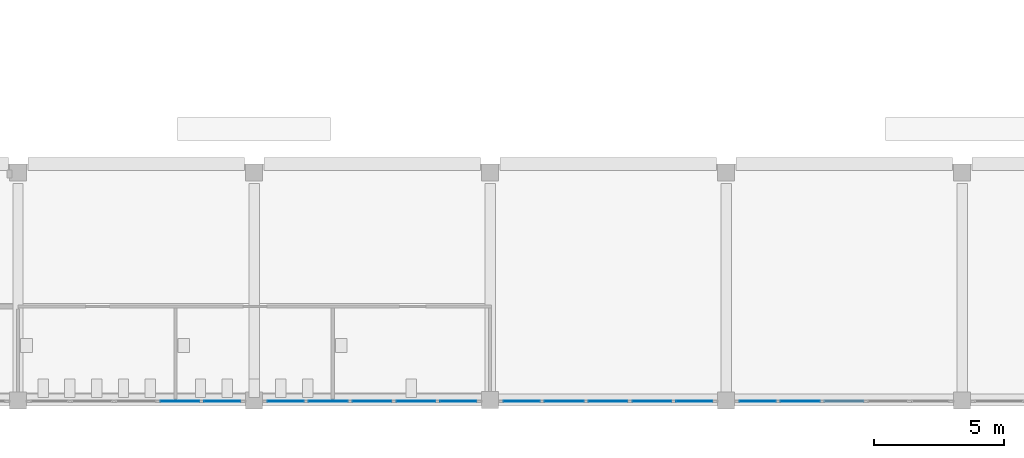
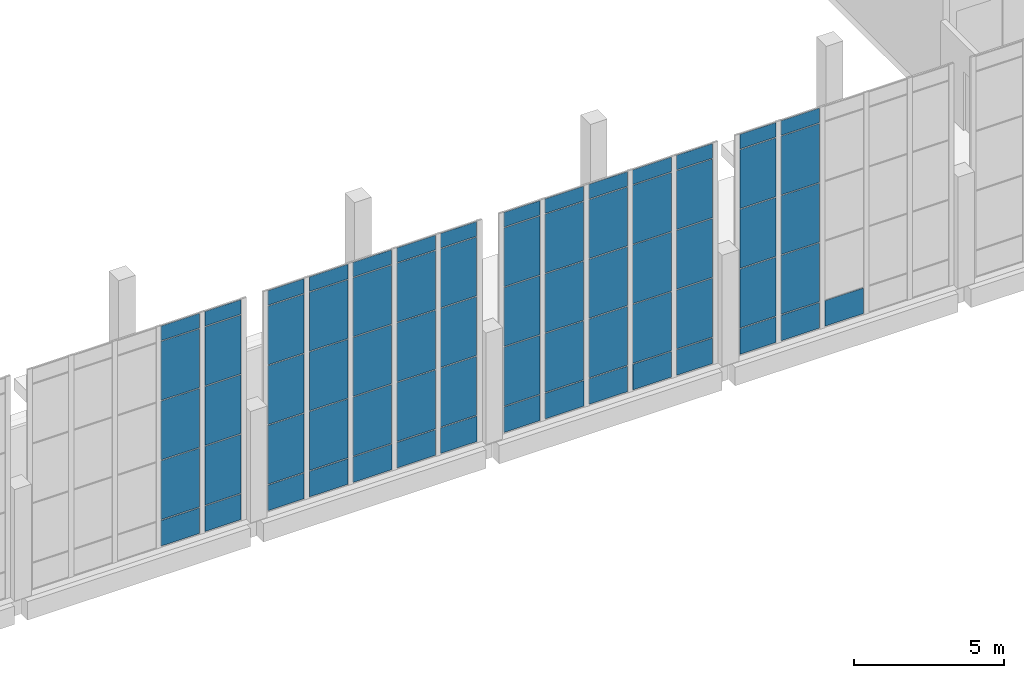
# One storey, part 32 of 91: 71 plates, 4 elements without a shape of their own.
"""IFC4 building model written with IfcOpenShell, lengths in metres."""

import ifcopenshell
import ifcopenshell.guid

model = None  # the IFC model being written
_history = None  # IfcOwnerHistory: only IFC2X3 demands one
_inside = {}  # id of a spatial element -> (the spatial element, [elements in it])
_under = {}  # id of a project, library or spatial element -> (it, [spatial elements below it])
_declared = {}  # id of a project -> (the project, [libraries it declares])
_typed = {}  # id of a type object -> (the type object, [elements of that type])
_made_of = {}  # id of a material, layer set ... -> (it, [elements and type objects made of it])


def new_model(schema):
    """Start an empty IFC model of exactly this schema.

    Asked for "IFC4X3", IfcOpenShell would pick the latest addendum, in which some entities
    have other attributes; the version numbers below select the first issue.
    IFC2X3 requires an IfcOwnerHistory on every rooted entity: one is made here for all.
    """
    global model, _history
    if schema == "IFC4X3":
        model = ifcopenshell.file(schema_version=(4, 3, 0, 0))
    else:
        model = ifcopenshell.file(schema=schema)
    _inside.clear()
    _under.clear()
    _declared.clear()
    _typed.clear()
    _made_of.clear()
    _history = None
    if model.schema == "IFC2X3":
        org = make("IfcOrganization", Name="unknown")
        user = make(
            "IfcPersonAndOrganization",
            ThePerson=make("IfcPerson", FamilyName="unknown"),
            TheOrganization=org,
        )
        app = make(
            "IfcApplication",
            ApplicationDeveloper=org,
            Version="unknown",
            ApplicationFullName="unknown",
            ApplicationIdentifier="unknown",
        )
        _history = make(
            "IfcOwnerHistory",
            OwningUser=user,
            OwningApplication=app,
            ChangeAction="ADDED",
            CreationDate=0,
        )
    return model


def make(cls, **values):
    """One entity of the class cls with the attributes given. An attribute that is None is left unset."""
    return model.create_entity(
        cls, **{name: value for name, value in values.items() if value is not None}
    )


def rooted(cls, **values):
    """An entity with a GlobalId (a new one), such as an element, a storey or a relation."""
    return make(cls, GlobalId=ifcopenshell.guid.new(), OwnerHistory=_history, **values)


def si_unit(unit_type, name, prefix=None):
    """IfcSIUnit, for example si_unit("LENGTHUNIT", "METRE", prefix="MILLI")."""
    return make("IfcSIUnit", UnitType=unit_type, Prefix=prefix, Name=name)


def assignment(units):
    """IfcUnitAssignment: the units of a project."""
    return None if units is None else make("IfcUnitAssignment", Units=units)


def point(xyz):
    """IfcCartesianPoint."""
    return None if xyz is None else make("IfcCartesianPoint", Coordinates=xyz)


def direction(xyz):
    """IfcDirection."""
    return None if xyz is None else make("IfcDirection", DirectionRatios=xyz)


def frame(location, z_axis=None, x_axis=None):
    """IfcAxis2Placement3D, a coordinate frame: its origin and axes. An axis left out is left unset."""
    return make(
        "IfcAxis2Placement3D",
        Location=point(location),
        Axis=direction(z_axis),
        RefDirection=direction(x_axis),
    )


def frame_2d(location, x_axis=None):
    """IfcAxis2Placement2D, a coordinate frame in the plane: its origin and x axis."""
    return make(
        "IfcAxis2Placement2D", Location=point(location), RefDirection=direction(x_axis)
    )


def origin():
    """The frame at (0, 0, 0) with its axes left unset."""
    return frame((0.0, 0.0, 0.0))


def origin_2d():
    """The frame at (0, 0) in the plane with its x axis left unset."""
    return frame_2d((0.0, 0.0))


def place(relative_to, where):
    """IfcLocalPlacement: puts the frame where relative to a parent placement (None: the world)."""
    return make(
        "IfcLocalPlacement", PlacementRelTo=relative_to, RelativePlacement=where
    )


def context(
    kind, dimensions, precision=None, world=None, true_north=None, identifier=None
):
    """IfcGeometricRepresentationContext, for example the 3D "Model" context."""
    return make(
        "IfcGeometricRepresentationContext",
        ContextIdentifier=identifier,
        ContextType=kind,
        CoordinateSpaceDimension=dimensions,
        Precision=precision,
        WorldCoordinateSystem=world,
        TrueNorth=true_north,
    )


def subcontext(parent, identifier, kind, view, scale=None):
    """IfcGeometricRepresentationSubContext, for example "Body" below "Model"."""
    return make(
        "IfcGeometricRepresentationSubContext",
        ContextIdentifier=identifier,
        ContextType=kind,
        ParentContext=parent,
        TargetScale=scale,
        TargetView=view,
    )


def project(units=None, contexts=None):
    """IfcProject with its units and contexts."""
    return rooted(
        "IfcProject",
        Name="project",
        RepresentationContexts=contexts,
        UnitsInContext=assignment(units),
    )


def spatial(cls, under=None, at=None, **own):
    """A site, building, storey or space (cls), placed at a placement, below another one or the project."""
    s = rooted(cls, ObjectPlacement=at, **own)
    if under is not None:
        _under.setdefault(under.id(), (under, []))[1].append(s)
    return s


def profile(cls, at=None, kind="AREA", **sizes):
    """A parametric profile (cls). Its sizes go by their IFC names, for example OverallWidth=200.0."""
    return make(cls, ProfileType=kind, Position=at, **sizes)


def rectangle(**sizes):
    """IfcRectangleProfileDef."""
    return profile("IfcRectangleProfileDef", **sizes)


def extrude(swept, where, along, depth):
    """IfcExtrudedAreaSolid: the profile swept, set in the frame where, extruded along a direction by depth."""
    return make(
        "IfcExtrudedAreaSolid",
        SweptArea=swept,
        Position=where,
        ExtrudedDirection=direction(along),
        Depth=depth,
    )


def shape(context_of_items, identifier, shape_type, items):
    """IfcShapeRepresentation: the items that make up one representation, for example the "Body"."""
    return make(
        "IfcShapeRepresentation",
        ContextOfItems=context_of_items,
        RepresentationIdentifier=identifier,
        RepresentationType=shape_type,
        Items=items,
    )


def material(Name=None, Category=None):
    """IfcMaterial."""
    return make("IfcMaterial", Name=Name, Category=Category)


def layer(
    of_material, thickness, ventilated=None, Name=None, Category=None, Priority=None
):
    """IfcMaterialLayer: one layer of a wall or slab, of a material (None: an air gap)."""
    return make(
        "IfcMaterialLayer",
        Material=of_material,
        LayerThickness=thickness,
        IsVentilated=ventilated,
        Name=Name,
        Category=Category,
        Priority=Priority,
    )


def layer_set(layers, Name=None):
    """IfcMaterialLayerSet."""
    return make("IfcMaterialLayerSet", MaterialLayers=layers, LayerSetName=Name)


def made_of(thing, what):
    """Note that an element or type object is made of a material, layer set ...; save() writes the relation."""
    if what is not None:
        _made_of.setdefault(what.id(), (what, []))[1].append(thing)
    return thing


def type_object(cls, material=None, **own):
    """A type object (cls), such as IfcWallType, which elements share."""
    return made_of(rooted(cls, **own), material)


def element(
    cls,
    number,
    at=None,
    inside=None,
    cuts=None,
    type_object=None,
    material=None,
    context=None,
    identifier="Body",
    shape_type=None,
    held_by="IfcProductDefinitionShape",
    body=None,
    shapes=None,
    **own,
):
    """One element of the class cls, such as IfcWall. Its Tag is "e" and its number.

    at: its placement. inside: the storey or other place that contains it. cuts: it is an
    opening in that element (IfcRelVoidsElement). A single representation is given by context,
    identifier, shape_type and body (its items); several are given by shapes. held_by: the class
    of the entity that holds the representations. save() writes the other relations.
    """
    e = rooted(cls, Tag="e%d" % number, ObjectPlacement=at, **own)
    if body is not None:
        shapes = [shape(context, identifier, shape_type, body)]
    if shapes is not None:
        e.Representation = make(held_by, Representations=shapes)
    if inside is not None:
        _inside.setdefault(inside.id(), (inside, []))[1].append(e)
    if cuts is not None:
        rooted(
            "IfcRelVoidsElement", RelatingBuildingElement=cuts, RelatedOpeningElement=e
        )
    if type_object is not None:
        _typed.setdefault(type_object.id(), (type_object, []))[1].append(e)
    return made_of(e, material)


def aggregate(whole, parts):
    """IfcRelAggregates: a whole, such as a stair, and the parts it consists of."""
    return rooted("IfcRelAggregates", RelatingObject=whole, RelatedObjects=parts)


def save(model, path):
    """Write the relations noted so far, then the file.

    IfcRelAggregates (storeys below a building ...), IfcRelContainedInSpatialStructure (elements
    in a storey), IfcRelDefinesByType, IfcRelAssociatesMaterial and IfcRelDeclares: one each for
    every whole, place, type object, material and project.
    """
    for whole, parts in _under.values():
        aggregate(whole, parts)
    for where, things in _inside.values():
        rooted(
            "IfcRelContainedInSpatialStructure",
            RelatedElements=things,
            RelatingStructure=where,
        )
    for kind, things in _typed.values():
        rooted("IfcRelDefinesByType", RelatedObjects=things, RelatingType=kind)
    for what, things in _made_of.values():
        rooted("IfcRelAssociatesMaterial", RelatedObjects=things, RelatingMaterial=what)
    for by, libraries in _declared.values():
        rooted("IfcRelDeclares", RelatingContext=by, RelatedDefinitions=libraries)
    model.write(path)


model = new_model("IFC4")

# Units and contexts
model_context = context("Model", 3, precision=1e-05, world=origin(), true_north=direction((0.0, 1.0)))
body_context = subcontext(model_context, "Body", "Model", "MODEL_VIEW")
ifc_project = project(units=[si_unit("LENGTHUNIT", "METRE"), si_unit("AREAUNIT", "SQUARE_METRE"), si_unit("VOLUMEUNIT", "CUBIC_METRE"), si_unit("PLANEANGLEUNIT", "RADIAN"), si_unit("MASSUNIT", "GRAM", prefix="KILO")], contexts=[model_context])

# Site, building, storey
site_placement = place(None, origin())
site = spatial("IfcSite", under=ifc_project, at=site_placement, CompositionType="ELEMENT")
building_placement = place(site_placement, origin())
building = spatial("IfcBuilding", under=site, at=building_placement, Name="Shirokan Park Arena", CompositionType="ELEMENT")
storey_placement = place(building_placement, frame((0.0, 0.0, 24.570068359375)))
storey = spatial("IfcBuildingStorey", under=building, at=storey_placement, Name="L05", CompositionType="ELEMENT", Elevation=24.570068359375)

# Curtain wall, plates
ifc_material_1 = material(Name="Steel and glass curtain wall", Category="steel")
ifc_layer_1 = layer(ifc_material_1, 0.199951171875)
ifc_layer_set_1 = layer_set([ifc_layer_1], Name="Steel and glass curtain wall 200 mm")
curtain_wall_type = type_object("IfcCurtainWallType", Name="Curtain wall hall bay 200", PredefinedType="NOTDEFINED", material=ifc_layer_set_1)
curtain_wall_1_placement = place(storey_placement, origin())
curtain_wall_1 = element("IfcCurtainWall", 1, at=curtain_wall_1_placement, inside=storey, type_object=curtain_wall_type, Name="Curtain wall south bay 8 L05", PredefinedType="NOTDEFINED")
ifc_material_2 = material(Name="Toughened glass", Category="glass")
ifc_layer_2 = layer(ifc_material_2, 0.012939453125, Name="Toughened glass")
ifc_material_3 = material(Name="Interlayer film")
ifc_layer_3 = layer(ifc_material_3, 0.001953125, Name="Interlayer film")
ifc_layer_4 = layer(ifc_material_2, 0.012939453125, Name="Toughened glass")
ifc_layer_set_2 = layer_set([ifc_layer_2, ifc_layer_3, ifc_layer_4], Name="Toughened glass + Interlayer film")
plate_type_1 = type_object("IfcPlateType", Name="Laminated glass panel 28", PredefinedType="CURTAIN_PANEL", material=ifc_layer_set_2)
plate_1_placement = place(storey_placement, frame((69.93994140625, -0.050048828125, 1.1201171875), z_axis=(0.0, 0.0, 1.0), x_axis=(1.0, 0.0, 0.0)))
plate_1 = element("IfcPlate", 2, at=plate_1_placement, type_object=plate_type_1, Name="CW5 panel 4.2", PredefinedType="CURTAIN_PANEL", context=body_context, shape_type="SweptSolid", body=[
    extrude(rectangle(XDim=1.489990234375, YDim=0.028076171875, at=origin_2d()), origin(), (0.0, 0.0, 1.0), 2.393310546875),
])
plate_2_placement = place(storey_placement, frame((69.93994140625, -0.050048828125, 3.55322265625), z_axis=(0.0, 0.0, 1.0), x_axis=(1.0, 0.0, 0.0)))
plate_2 = element("IfcPlate", 3, at=plate_2_placement, type_object=plate_type_1, Name="CW5 panel 4.3", PredefinedType="CURTAIN_PANEL", context=body_context, shape_type="SweptSolid", body=[
    extrude(rectangle(XDim=1.489990234375, YDim=0.028076171875, at=origin_2d()), origin(), (0.0, 0.0, 1.0), 2.393310546875),
])
plate_3_placement = place(storey_placement, frame((69.93994140625, -0.050048828125, 5.98681640625), z_axis=(0.0, 0.0, 1.0), x_axis=(1.0, 0.0, 0.0)))
plate_3 = element("IfcPlate", 4, at=plate_3_placement, type_object=plate_type_1, Name="CW5 panel 4.4", PredefinedType="CURTAIN_PANEL", context=body_context, shape_type="SweptSolid", body=[
    extrude(rectangle(XDim=1.489990234375, YDim=0.028076171875, at=origin_2d()), origin(), (0.0, 0.0, 1.0), 2.393310546875),
])
plate_4_placement = place(storey_placement, frame((69.93994140625, -0.050048828125, 8.419921875), z_axis=(0.0, 0.0, 1.0), x_axis=(1.0, 0.0, 0.0)))
plate_4 = element("IfcPlate", 5, at=plate_4_placement, type_object=plate_type_1, Name="CW5 panel 4.5", PredefinedType="CURTAIN_PANEL", context=body_context, shape_type="SweptSolid", body=[
    extrude(rectangle(XDim=1.489990234375, YDim=0.028076171875, at=origin_2d()), origin(), (0.0, 0.0, 1.0), 0.590087890625),
])
plate_5_placement = place(storey_placement, frame((71.580078125, -0.050048828125, 1.1201171875), z_axis=(0.0, 0.0, 1.0), x_axis=(1.0, 0.0, 0.0)))
plate_5 = element("IfcPlate", 6, at=plate_5_placement, type_object=plate_type_1, Name="CW5 panel 5.2", PredefinedType="CURTAIN_PANEL", context=body_context, shape_type="SweptSolid", body=[
    extrude(rectangle(XDim=1.389892578125, YDim=0.028076171875, at=origin_2d()), origin(), (0.0, 0.0, 1.0), 2.393310546875),
])
plate_6_placement = place(storey_placement, frame((71.580078125, -0.050048828125, 3.55322265625), z_axis=(0.0, 0.0, 1.0), x_axis=(1.0, 0.0, 0.0)))
plate_6 = element("IfcPlate", 7, at=plate_6_placement, type_object=plate_type_1, Name="CW5 panel 5.3", PredefinedType="CURTAIN_PANEL", context=body_context, shape_type="SweptSolid", body=[
    extrude(rectangle(XDim=1.389892578125, YDim=0.028076171875, at=origin_2d()), origin(), (0.0, 0.0, 1.0), 2.393310546875),
])
plate_7_placement = place(storey_placement, frame((71.580078125, -0.050048828125, 5.98681640625), z_axis=(0.0, 0.0, 1.0), x_axis=(1.0, 0.0, 0.0)))
plate_7 = element("IfcPlate", 8, at=plate_7_placement, type_object=plate_type_1, Name="CW5 panel 5.4", PredefinedType="CURTAIN_PANEL", context=body_context, shape_type="SweptSolid", body=[
    extrude(rectangle(XDim=1.389892578125, YDim=0.028076171875, at=origin_2d()), origin(), (0.0, 0.0, 1.0), 2.393310546875),
])
plate_8_placement = place(storey_placement, frame((71.580078125, -0.050048828125, 8.419921875), z_axis=(0.0, 0.0, 1.0), x_axis=(1.0, 0.0, 0.0)))
plate_8 = element("IfcPlate", 9, at=plate_8_placement, type_object=plate_type_1, Name="CW5 panel 5.5", PredefinedType="CURTAIN_PANEL", context=body_context, shape_type="SweptSolid", body=[
    extrude(rectangle(XDim=1.389892578125, YDim=0.028076171875, at=origin_2d()), origin(), (0.0, 0.0, 1.0), 0.590087890625),
])

curtain_wall_2_placement = place(storey_placement, origin())
curtain_wall_2 = element("IfcCurtainWall", 10, at=curtain_wall_2_placement, inside=storey, type_object=curtain_wall_type, Name="Curtain wall south bay 9 L05", PredefinedType="NOTDEFINED")
plate_9_placement = place(storey_placement, frame((74.02001953125, -0.050048828125, 1.1201171875), z_axis=(0.0, 0.0, 1.0), x_axis=(1.0, 0.0, 0.0)))
plate_9 = element("IfcPlate", 11, at=plate_9_placement, type_object=plate_type_1, Name="CW5 panel 1.2", PredefinedType="CURTAIN_PANEL", context=body_context, shape_type="SweptSolid", body=[
    extrude(rectangle(XDim=1.389892578125, YDim=0.028076171875, at=origin_2d()), origin(), (0.0, 0.0, 1.0), 2.393310546875),
])
plate_10_placement = place(storey_placement, frame((74.02001953125, -0.050048828125, 3.55322265625), z_axis=(0.0, 0.0, 1.0), x_axis=(1.0, 0.0, 0.0)))
plate_10 = element("IfcPlate", 12, at=plate_10_placement, type_object=plate_type_1, Name="CW5 panel 1.3", PredefinedType="CURTAIN_PANEL", context=body_context, shape_type="SweptSolid", body=[
    extrude(rectangle(XDim=1.389892578125, YDim=0.028076171875, at=origin_2d()), origin(), (0.0, 0.0, 1.0), 2.393310546875),
])
plate_11_placement = place(storey_placement, frame((74.02001953125, -0.050048828125, 5.98681640625), z_axis=(0.0, 0.0, 1.0), x_axis=(1.0, 0.0, 0.0)))
plate_11 = element("IfcPlate", 13, at=plate_11_placement, type_object=plate_type_1, Name="CW5 panel 1.4", PredefinedType="CURTAIN_PANEL", context=body_context, shape_type="SweptSolid", body=[
    extrude(rectangle(XDim=1.389892578125, YDim=0.028076171875, at=origin_2d()), origin(), (0.0, 0.0, 1.0), 2.393310546875),
])
plate_12_placement = place(storey_placement, frame((74.02001953125, -0.050048828125, 8.419921875), z_axis=(0.0, 0.0, 1.0), x_axis=(1.0, 0.0, 0.0)))
plate_12 = element("IfcPlate", 14, at=plate_12_placement, type_object=plate_type_1, Name="CW5 panel 1.5", PredefinedType="CURTAIN_PANEL", context=body_context, shape_type="SweptSolid", body=[
    extrude(rectangle(XDim=1.389892578125, YDim=0.028076171875, at=origin_2d()), origin(), (0.0, 0.0, 1.0), 0.590087890625),
])
plate_13_placement = place(storey_placement, frame((75.659912109375, -0.050048828125, 1.1201171875), z_axis=(0.0, 0.0, 1.0), x_axis=(1.0, 0.0, 0.0)))
plate_13 = element("IfcPlate", 15, at=plate_13_placement, type_object=plate_type_1, Name="CW5 panel 2.2", PredefinedType="CURTAIN_PANEL", context=body_context, shape_type="SweptSolid", body=[
    extrude(rectangle(XDim=1.489990234375, YDim=0.028076171875, at=origin_2d()), origin(), (0.0, 0.0, 1.0), 2.393310546875),
])
plate_14_placement = place(storey_placement, frame((75.659912109375, -0.050048828125, 3.55322265625), z_axis=(0.0, 0.0, 1.0), x_axis=(1.0, 0.0, 0.0)))
plate_14 = element("IfcPlate", 16, at=plate_14_placement, type_object=plate_type_1, Name="CW5 panel 2.3", PredefinedType="CURTAIN_PANEL", context=body_context, shape_type="SweptSolid", body=[
    extrude(rectangle(XDim=1.489990234375, YDim=0.028076171875, at=origin_2d()), origin(), (0.0, 0.0, 1.0), 2.393310546875),
])
plate_15_placement = place(storey_placement, frame((75.659912109375, -0.050048828125, 5.98681640625), z_axis=(0.0, 0.0, 1.0), x_axis=(1.0, 0.0, 0.0)))
plate_15 = element("IfcPlate", 17, at=plate_15_placement, type_object=plate_type_1, Name="CW5 panel 2.4", PredefinedType="CURTAIN_PANEL", context=body_context, shape_type="SweptSolid", body=[
    extrude(rectangle(XDim=1.489990234375, YDim=0.028076171875, at=origin_2d()), origin(), (0.0, 0.0, 1.0), 2.393310546875),
])
plate_16_placement = place(storey_placement, frame((75.659912109375, -0.050048828125, 8.419921875), z_axis=(0.0, 0.0, 1.0), x_axis=(1.0, 0.0, 0.0)))
plate_16 = element("IfcPlate", 18, at=plate_16_placement, type_object=plate_type_1, Name="CW5 panel 2.5", PredefinedType="CURTAIN_PANEL", context=body_context, shape_type="SweptSolid", body=[
    extrude(rectangle(XDim=1.489990234375, YDim=0.028076171875, at=origin_2d()), origin(), (0.0, 0.0, 1.0), 0.590087890625),
])
plate_17_placement = place(storey_placement, frame((77.35009765625, -0.050048828125, 1.1201171875), z_axis=(0.0, 0.0, 1.0), x_axis=(1.0, 0.0, 0.0)))
plate_17 = element("IfcPlate", 19, at=plate_17_placement, type_object=plate_type_1, Name="CW5 panel 3.2", PredefinedType="CURTAIN_PANEL", context=body_context, shape_type="SweptSolid", body=[
    extrude(rectangle(XDim=1.489990234375, YDim=0.028076171875, at=origin_2d()), origin(), (0.0, 0.0, 1.0), 2.393310546875),
])
plate_18_placement = place(storey_placement, frame((77.35009765625, -0.050048828125, 3.55322265625), z_axis=(0.0, 0.0, 1.0), x_axis=(1.0, 0.0, 0.0)))
plate_18 = element("IfcPlate", 20, at=plate_18_placement, type_object=plate_type_1, Name="CW5 panel 3.3", PredefinedType="CURTAIN_PANEL", context=body_context, shape_type="SweptSolid", body=[
    extrude(rectangle(XDim=1.489990234375, YDim=0.028076171875, at=origin_2d()), origin(), (0.0, 0.0, 1.0), 2.393310546875),
])
plate_19_placement = place(storey_placement, frame((77.35009765625, -0.050048828125, 5.98681640625), z_axis=(0.0, 0.0, 1.0), x_axis=(1.0, 0.0, 0.0)))
plate_19 = element("IfcPlate", 21, at=plate_19_placement, type_object=plate_type_1, Name="CW5 panel 3.4", PredefinedType="CURTAIN_PANEL", context=body_context, shape_type="SweptSolid", body=[
    extrude(rectangle(XDim=1.489990234375, YDim=0.028076171875, at=origin_2d()), origin(), (0.0, 0.0, 1.0), 2.393310546875),
])
plate_20_placement = place(storey_placement, frame((77.35009765625, -0.050048828125, 8.419921875), z_axis=(0.0, 0.0, 1.0), x_axis=(1.0, 0.0, 0.0)))
plate_20 = element("IfcPlate", 22, at=plate_20_placement, type_object=plate_type_1, Name="CW5 panel 3.5", PredefinedType="CURTAIN_PANEL", context=body_context, shape_type="SweptSolid", body=[
    extrude(rectangle(XDim=1.489990234375, YDim=0.028076171875, at=origin_2d()), origin(), (0.0, 0.0, 1.0), 0.590087890625),
])
plate_21_placement = place(storey_placement, frame((79.0400390625, -0.050048828125, 1.1201171875), z_axis=(0.0, 0.0, 1.0), x_axis=(1.0, 0.0, 0.0)))
plate_21 = element("IfcPlate", 23, at=plate_21_placement, type_object=plate_type_1, Name="CW5 panel 4.2", PredefinedType="CURTAIN_PANEL", context=body_context, shape_type="SweptSolid", body=[
    extrude(rectangle(XDim=1.489990234375, YDim=0.028076171875, at=origin_2d()), origin(), (0.0, 0.0, 1.0), 2.393310546875),
])
plate_22_placement = place(storey_placement, frame((79.0400390625, -0.050048828125, 3.55322265625), z_axis=(0.0, 0.0, 1.0), x_axis=(1.0, 0.0, 0.0)))
plate_22 = element("IfcPlate", 24, at=plate_22_placement, type_object=plate_type_1, Name="CW5 panel 4.3", PredefinedType="CURTAIN_PANEL", context=body_context, shape_type="SweptSolid", body=[
    extrude(rectangle(XDim=1.489990234375, YDim=0.028076171875, at=origin_2d()), origin(), (0.0, 0.0, 1.0), 2.393310546875),
])
plate_23_placement = place(storey_placement, frame((79.0400390625, -0.050048828125, 5.98681640625), z_axis=(0.0, 0.0, 1.0), x_axis=(1.0, 0.0, 0.0)))
plate_23 = element("IfcPlate", 25, at=plate_23_placement, type_object=plate_type_1, Name="CW5 panel 4.4", PredefinedType="CURTAIN_PANEL", context=body_context, shape_type="SweptSolid", body=[
    extrude(rectangle(XDim=1.489990234375, YDim=0.028076171875, at=origin_2d()), origin(), (0.0, 0.0, 1.0), 2.393310546875),
])
plate_24_placement = place(storey_placement, frame((79.0400390625, -0.050048828125, 8.419921875), z_axis=(0.0, 0.0, 1.0), x_axis=(1.0, 0.0, 0.0)))
plate_24 = element("IfcPlate", 26, at=plate_24_placement, type_object=plate_type_1, Name="CW5 panel 4.5", PredefinedType="CURTAIN_PANEL", context=body_context, shape_type="SweptSolid", body=[
    extrude(rectangle(XDim=1.489990234375, YDim=0.028076171875, at=origin_2d()), origin(), (0.0, 0.0, 1.0), 0.590087890625),
])
plate_25_placement = place(storey_placement, frame((80.679931640625, -0.050048828125, 1.1201171875), z_axis=(0.0, 0.0, 1.0), x_axis=(1.0, 0.0, 0.0)))
plate_25 = element("IfcPlate", 27, at=plate_25_placement, type_object=plate_type_1, Name="CW5 panel 5.2", PredefinedType="CURTAIN_PANEL", context=body_context, shape_type="SweptSolid", body=[
    extrude(rectangle(XDim=1.389892578125, YDim=0.028076171875, at=origin_2d()), origin(), (0.0, 0.0, 1.0), 2.393310546875),
])
plate_26_placement = place(storey_placement, frame((80.679931640625, -0.050048828125, 3.55322265625), z_axis=(0.0, 0.0, 1.0), x_axis=(1.0, 0.0, 0.0)))
plate_26 = element("IfcPlate", 28, at=plate_26_placement, type_object=plate_type_1, Name="CW5 panel 5.3", PredefinedType="CURTAIN_PANEL", context=body_context, shape_type="SweptSolid", body=[
    extrude(rectangle(XDim=1.389892578125, YDim=0.028076171875, at=origin_2d()), origin(), (0.0, 0.0, 1.0), 2.393310546875),
])
plate_27_placement = place(storey_placement, frame((80.679931640625, -0.050048828125, 5.98681640625), z_axis=(0.0, 0.0, 1.0), x_axis=(1.0, 0.0, 0.0)))
plate_27 = element("IfcPlate", 29, at=plate_27_placement, type_object=plate_type_1, Name="CW5 panel 5.4", PredefinedType="CURTAIN_PANEL", context=body_context, shape_type="SweptSolid", body=[
    extrude(rectangle(XDim=1.389892578125, YDim=0.028076171875, at=origin_2d()), origin(), (0.0, 0.0, 1.0), 2.393310546875),
])
plate_28_placement = place(storey_placement, frame((80.679931640625, -0.050048828125, 8.419921875), z_axis=(0.0, 0.0, 1.0), x_axis=(1.0, 0.0, 0.0)))
plate_28 = element("IfcPlate", 30, at=plate_28_placement, type_object=plate_type_1, Name="CW5 panel 5.5", PredefinedType="CURTAIN_PANEL", context=body_context, shape_type="SweptSolid", body=[
    extrude(rectangle(XDim=1.389892578125, YDim=0.028076171875, at=origin_2d()), origin(), (0.0, 0.0, 1.0), 0.590087890625),
])

curtain_wall_3_placement = place(storey_placement, origin())
curtain_wall_3 = element("IfcCurtainWall", 31, at=curtain_wall_3_placement, inside=storey, type_object=curtain_wall_type, Name="Curtain wall south bay 10 L05", PredefinedType="NOTDEFINED")
plate_29_placement = place(storey_placement, frame((83.1201171875, -0.050048828125, 1.1201171875), z_axis=(0.0, 0.0, 1.0), x_axis=(1.0, 0.0, 0.0)))
plate_29 = element("IfcPlate", 32, at=plate_29_placement, type_object=plate_type_1, Name="CW5 panel 1.2", PredefinedType="CURTAIN_PANEL", context=body_context, shape_type="SweptSolid", body=[
    extrude(rectangle(XDim=1.389892578125, YDim=0.028076171875, at=origin_2d()), origin(), (0.0, 0.0, 1.0), 2.393310546875),
])
plate_30_placement = place(storey_placement, frame((83.1201171875, -0.050048828125, 3.55322265625), z_axis=(0.0, 0.0, 1.0), x_axis=(1.0, 0.0, 0.0)))
plate_30 = element("IfcPlate", 33, at=plate_30_placement, type_object=plate_type_1, Name="CW5 panel 1.3", PredefinedType="CURTAIN_PANEL", context=body_context, shape_type="SweptSolid", body=[
    extrude(rectangle(XDim=1.389892578125, YDim=0.028076171875, at=origin_2d()), origin(), (0.0, 0.0, 1.0), 2.393310546875),
])
plate_31_placement = place(storey_placement, frame((83.1201171875, -0.050048828125, 5.98681640625), z_axis=(0.0, 0.0, 1.0), x_axis=(1.0, 0.0, 0.0)))
plate_31 = element("IfcPlate", 34, at=plate_31_placement, type_object=plate_type_1, Name="CW5 panel 1.4", PredefinedType="CURTAIN_PANEL", context=body_context, shape_type="SweptSolid", body=[
    extrude(rectangle(XDim=1.389892578125, YDim=0.028076171875, at=origin_2d()), origin(), (0.0, 0.0, 1.0), 2.393310546875),
])
plate_32_placement = place(storey_placement, frame((83.1201171875, -0.050048828125, 8.419921875), z_axis=(0.0, 0.0, 1.0), x_axis=(1.0, 0.0, 0.0)))
plate_32 = element("IfcPlate", 35, at=plate_32_placement, type_object=plate_type_1, Name="CW5 panel 1.5", PredefinedType="CURTAIN_PANEL", context=body_context, shape_type="SweptSolid", body=[
    extrude(rectangle(XDim=1.389892578125, YDim=0.028076171875, at=origin_2d()), origin(), (0.0, 0.0, 1.0), 0.590087890625),
])
plate_33_placement = place(storey_placement, frame((84.760009765625, -0.050048828125, 1.1201171875), z_axis=(0.0, 0.0, 1.0), x_axis=(1.0, 0.0, 0.0)))
plate_33 = element("IfcPlate", 36, at=plate_33_placement, type_object=plate_type_1, Name="CW5 panel 2.2", PredefinedType="CURTAIN_PANEL", context=body_context, shape_type="SweptSolid", body=[
    extrude(rectangle(XDim=1.489990234375, YDim=0.028076171875, at=origin_2d()), origin(), (0.0, 0.0, 1.0), 2.393310546875),
])
plate_34_placement = place(storey_placement, frame((84.760009765625, -0.050048828125, 3.55322265625), z_axis=(0.0, 0.0, 1.0), x_axis=(1.0, 0.0, 0.0)))
plate_34 = element("IfcPlate", 37, at=plate_34_placement, type_object=plate_type_1, Name="CW5 panel 2.3", PredefinedType="CURTAIN_PANEL", context=body_context, shape_type="SweptSolid", body=[
    extrude(rectangle(XDim=1.489990234375, YDim=0.028076171875, at=origin_2d()), origin(), (0.0, 0.0, 1.0), 2.393310546875),
])
plate_35_placement = place(storey_placement, frame((84.760009765625, -0.050048828125, 5.98681640625), z_axis=(0.0, 0.0, 1.0), x_axis=(1.0, 0.0, 0.0)))
plate_35 = element("IfcPlate", 38, at=plate_35_placement, type_object=plate_type_1, Name="CW5 panel 2.4", PredefinedType="CURTAIN_PANEL", context=body_context, shape_type="SweptSolid", body=[
    extrude(rectangle(XDim=1.489990234375, YDim=0.028076171875, at=origin_2d()), origin(), (0.0, 0.0, 1.0), 2.393310546875),
])
plate_36_placement = place(storey_placement, frame((84.760009765625, -0.050048828125, 8.419921875), z_axis=(0.0, 0.0, 1.0), x_axis=(1.0, 0.0, 0.0)))
plate_36 = element("IfcPlate", 39, at=plate_36_placement, type_object=plate_type_1, Name="CW5 panel 2.5", PredefinedType="CURTAIN_PANEL", context=body_context, shape_type="SweptSolid", body=[
    extrude(rectangle(XDim=1.489990234375, YDim=0.028076171875, at=origin_2d()), origin(), (0.0, 0.0, 1.0), 0.590087890625),
])
plate_37_placement = place(storey_placement, frame((86.449951171875, -0.050048828125, 1.1201171875), z_axis=(0.0, 0.0, 1.0), x_axis=(1.0, 0.0, 0.0)))
plate_37 = element("IfcPlate", 40, at=plate_37_placement, type_object=plate_type_1, Name="CW5 panel 3.2", PredefinedType="CURTAIN_PANEL", context=body_context, shape_type="SweptSolid", body=[
    extrude(rectangle(XDim=1.489990234375, YDim=0.028076171875, at=origin_2d()), origin(), (0.0, 0.0, 1.0), 2.393310546875),
])
plate_38_placement = place(storey_placement, frame((86.449951171875, -0.050048828125, 3.55322265625), z_axis=(0.0, 0.0, 1.0), x_axis=(1.0, 0.0, 0.0)))
plate_38 = element("IfcPlate", 41, at=plate_38_placement, type_object=plate_type_1, Name="CW5 panel 3.3", PredefinedType="CURTAIN_PANEL", context=body_context, shape_type="SweptSolid", body=[
    extrude(rectangle(XDim=1.489990234375, YDim=0.028076171875, at=origin_2d()), origin(), (0.0, 0.0, 1.0), 2.393310546875),
])
plate_39_placement = place(storey_placement, frame((86.449951171875, -0.050048828125, 5.98681640625), z_axis=(0.0, 0.0, 1.0), x_axis=(1.0, 0.0, 0.0)))
plate_39 = element("IfcPlate", 42, at=plate_39_placement, type_object=plate_type_1, Name="CW5 panel 3.4", PredefinedType="CURTAIN_PANEL", context=body_context, shape_type="SweptSolid", body=[
    extrude(rectangle(XDim=1.489990234375, YDim=0.028076171875, at=origin_2d()), origin(), (0.0, 0.0, 1.0), 2.393310546875),
])
plate_40_placement = place(storey_placement, frame((86.449951171875, -0.050048828125, 8.419921875), z_axis=(0.0, 0.0, 1.0), x_axis=(1.0, 0.0, 0.0)))
plate_40 = element("IfcPlate", 43, at=plate_40_placement, type_object=plate_type_1, Name="CW5 panel 3.5", PredefinedType="CURTAIN_PANEL", context=body_context, shape_type="SweptSolid", body=[
    extrude(rectangle(XDim=1.489990234375, YDim=0.028076171875, at=origin_2d()), origin(), (0.0, 0.0, 1.0), 0.590087890625),
])
plate_41_placement = place(storey_placement, frame((88.139892578125, -0.050048828125, 1.1201171875), z_axis=(0.0, 0.0, 1.0), x_axis=(1.0, 0.0, 0.0)))
plate_41 = element("IfcPlate", 44, at=plate_41_placement, type_object=plate_type_1, Name="CW5 panel 4.2", PredefinedType="CURTAIN_PANEL", context=body_context, shape_type="SweptSolid", body=[
    extrude(rectangle(XDim=1.489990234375, YDim=0.028076171875, at=origin_2d()), origin(), (0.0, 0.0, 1.0), 2.393310546875),
])
plate_42_placement = place(storey_placement, frame((88.139892578125, -0.050048828125, 3.55322265625), z_axis=(0.0, 0.0, 1.0), x_axis=(1.0, 0.0, 0.0)))
plate_42 = element("IfcPlate", 45, at=plate_42_placement, type_object=plate_type_1, Name="CW5 panel 4.3", PredefinedType="CURTAIN_PANEL", context=body_context, shape_type="SweptSolid", body=[
    extrude(rectangle(XDim=1.489990234375, YDim=0.028076171875, at=origin_2d()), origin(), (0.0, 0.0, 1.0), 2.393310546875),
])
plate_43_placement = place(storey_placement, frame((88.139892578125, -0.050048828125, 5.98681640625), z_axis=(0.0, 0.0, 1.0), x_axis=(1.0, 0.0, 0.0)))
plate_43 = element("IfcPlate", 46, at=plate_43_placement, type_object=plate_type_1, Name="CW5 panel 4.4", PredefinedType="CURTAIN_PANEL", context=body_context, shape_type="SweptSolid", body=[
    extrude(rectangle(XDim=1.489990234375, YDim=0.028076171875, at=origin_2d()), origin(), (0.0, 0.0, 1.0), 2.393310546875),
])
plate_44_placement = place(storey_placement, frame((88.139892578125, -0.050048828125, 8.419921875), z_axis=(0.0, 0.0, 1.0), x_axis=(1.0, 0.0, 0.0)))
plate_44 = element("IfcPlate", 47, at=plate_44_placement, type_object=plate_type_1, Name="CW5 panel 4.5", PredefinedType="CURTAIN_PANEL", context=body_context, shape_type="SweptSolid", body=[
    extrude(rectangle(XDim=1.489990234375, YDim=0.028076171875, at=origin_2d()), origin(), (0.0, 0.0, 1.0), 0.590087890625),
])
plate_45_placement = place(storey_placement, frame((89.780029296875, -0.050048828125, 1.1201171875), z_axis=(0.0, 0.0, 1.0), x_axis=(1.0, 0.0, 0.0)))
plate_45 = element("IfcPlate", 48, at=plate_45_placement, type_object=plate_type_1, Name="CW5 panel 5.2", PredefinedType="CURTAIN_PANEL", context=body_context, shape_type="SweptSolid", body=[
    extrude(rectangle(XDim=1.389892578125, YDim=0.028076171875, at=origin_2d()), origin(), (0.0, 0.0, 1.0), 2.393310546875),
])
plate_46_placement = place(storey_placement, frame((89.780029296875, -0.050048828125, 3.55322265625), z_axis=(0.0, 0.0, 1.0), x_axis=(1.0, 0.0, 0.0)))
plate_46 = element("IfcPlate", 49, at=plate_46_placement, type_object=plate_type_1, Name="CW5 panel 5.3", PredefinedType="CURTAIN_PANEL", context=body_context, shape_type="SweptSolid", body=[
    extrude(rectangle(XDim=1.389892578125, YDim=0.028076171875, at=origin_2d()), origin(), (0.0, 0.0, 1.0), 2.393310546875),
])
plate_47_placement = place(storey_placement, frame((89.780029296875, -0.050048828125, 5.98681640625), z_axis=(0.0, 0.0, 1.0), x_axis=(1.0, 0.0, 0.0)))
plate_47 = element("IfcPlate", 50, at=plate_47_placement, type_object=plate_type_1, Name="CW5 panel 5.4", PredefinedType="CURTAIN_PANEL", context=body_context, shape_type="SweptSolid", body=[
    extrude(rectangle(XDim=1.389892578125, YDim=0.028076171875, at=origin_2d()), origin(), (0.0, 0.0, 1.0), 2.393310546875),
])
plate_48_placement = place(storey_placement, frame((89.780029296875, -0.050048828125, 8.419921875), z_axis=(0.0, 0.0, 1.0), x_axis=(1.0, 0.0, 0.0)))
plate_48 = element("IfcPlate", 51, at=plate_48_placement, type_object=plate_type_1, Name="CW5 panel 5.5", PredefinedType="CURTAIN_PANEL", context=body_context, shape_type="SweptSolid", body=[
    extrude(rectangle(XDim=1.389892578125, YDim=0.028076171875, at=origin_2d()), origin(), (0.0, 0.0, 1.0), 0.590087890625),
])

curtain_wall_4_placement = place(storey_placement, origin())
curtain_wall_4 = element("IfcCurtainWall", 52, at=curtain_wall_4_placement, inside=storey, type_object=curtain_wall_type, Name="Curtain wall south bay 11 L05", PredefinedType="NOTDEFINED")
plate_49_placement = place(storey_placement, frame((92.219970703125, -0.050048828125, 1.1201171875), z_axis=(0.0, 0.0, 1.0), x_axis=(1.0, 0.0, 0.0)))
plate_49 = element("IfcPlate", 53, at=plate_49_placement, type_object=plate_type_1, Name="CW5 panel 1.2", PredefinedType="CURTAIN_PANEL", context=body_context, shape_type="SweptSolid", body=[
    extrude(rectangle(XDim=1.389892578125, YDim=0.028076171875, at=origin_2d()), origin(), (0.0, 0.0, 1.0), 2.393310546875),
])
plate_50_placement = place(storey_placement, frame((92.219970703125, -0.050048828125, 3.55322265625), z_axis=(0.0, 0.0, 1.0), x_axis=(1.0, 0.0, 0.0)))
plate_50 = element("IfcPlate", 54, at=plate_50_placement, type_object=plate_type_1, Name="CW5 panel 1.3", PredefinedType="CURTAIN_PANEL", context=body_context, shape_type="SweptSolid", body=[
    extrude(rectangle(XDim=1.389892578125, YDim=0.028076171875, at=origin_2d()), origin(), (0.0, 0.0, 1.0), 2.393310546875),
])
plate_51_placement = place(storey_placement, frame((92.219970703125, -0.050048828125, 5.98681640625), z_axis=(0.0, 0.0, 1.0), x_axis=(1.0, 0.0, 0.0)))
plate_51 = element("IfcPlate", 55, at=plate_51_placement, type_object=plate_type_1, Name="CW5 panel 1.4", PredefinedType="CURTAIN_PANEL", context=body_context, shape_type="SweptSolid", body=[
    extrude(rectangle(XDim=1.389892578125, YDim=0.028076171875, at=origin_2d()), origin(), (0.0, 0.0, 1.0), 2.393310546875),
])
plate_52_placement = place(storey_placement, frame((92.219970703125, -0.050048828125, 8.419921875), z_axis=(0.0, 0.0, 1.0), x_axis=(1.0, 0.0, 0.0)))
plate_52 = element("IfcPlate", 56, at=plate_52_placement, type_object=plate_type_1, Name="CW5 panel 1.5", PredefinedType="CURTAIN_PANEL", context=body_context, shape_type="SweptSolid", body=[
    extrude(rectangle(XDim=1.389892578125, YDim=0.028076171875, at=origin_2d()), origin(), (0.0, 0.0, 1.0), 0.590087890625),
])
plate_53_placement = place(storey_placement, frame((93.860107421875, -0.050048828125, 1.1201171875), z_axis=(0.0, 0.0, 1.0), x_axis=(1.0, 0.0, 0.0)))
plate_53 = element("IfcPlate", 57, at=plate_53_placement, type_object=plate_type_1, Name="CW5 panel 2.2", PredefinedType="CURTAIN_PANEL", context=body_context, shape_type="SweptSolid", body=[
    extrude(rectangle(XDim=1.489990234375, YDim=0.028076171875, at=origin_2d()), origin(), (0.0, 0.0, 1.0), 2.393310546875),
])
plate_54_placement = place(storey_placement, frame((93.860107421875, -0.050048828125, 3.55322265625), z_axis=(0.0, 0.0, 1.0), x_axis=(1.0, 0.0, 0.0)))
plate_54 = element("IfcPlate", 58, at=plate_54_placement, type_object=plate_type_1, Name="CW5 panel 2.3", PredefinedType="CURTAIN_PANEL", context=body_context, shape_type="SweptSolid", body=[
    extrude(rectangle(XDim=1.489990234375, YDim=0.028076171875, at=origin_2d()), origin(), (0.0, 0.0, 1.0), 2.393310546875),
])
plate_55_placement = place(storey_placement, frame((93.860107421875, -0.050048828125, 5.98681640625), z_axis=(0.0, 0.0, 1.0), x_axis=(1.0, 0.0, 0.0)))
plate_55 = element("IfcPlate", 59, at=plate_55_placement, type_object=plate_type_1, Name="CW5 panel 2.4", PredefinedType="CURTAIN_PANEL", context=body_context, shape_type="SweptSolid", body=[
    extrude(rectangle(XDim=1.489990234375, YDim=0.028076171875, at=origin_2d()), origin(), (0.0, 0.0, 1.0), 2.393310546875),
])
plate_56_placement = place(storey_placement, frame((93.860107421875, -0.050048828125, 8.419921875), z_axis=(0.0, 0.0, 1.0), x_axis=(1.0, 0.0, 0.0)))
plate_56 = element("IfcPlate", 60, at=plate_56_placement, type_object=plate_type_1, Name="CW5 panel 2.5", PredefinedType="CURTAIN_PANEL", context=body_context, shape_type="SweptSolid", body=[
    extrude(rectangle(XDim=1.489990234375, YDim=0.028076171875, at=origin_2d()), origin(), (0.0, 0.0, 1.0), 0.590087890625),
])

# Plate
ifc_layer_5 = layer(ifc_material_2, 0.01708984375, Name="Toughened glass")
ifc_layer_6 = layer(ifc_material_3, 0.001953125, Name="Interlayer film")
ifc_layer_7 = layer(ifc_material_2, 0.01708984375, Name="Toughened glass")
ifc_layer_set_3 = layer_set([ifc_layer_5, ifc_layer_6, ifc_layer_7], Name="Toughened glass + Interlayer film")
plate_type_2 = type_object("IfcPlateType", Name="Laminated safety glass panel 36", PredefinedType="CURTAIN_PANEL", material=ifc_layer_set_3)
plate_57_placement = place(storey_placement, frame((69.93994140625, -0.050048828125, 0.039794921875), z_axis=(0.0, 0.0, 1.0), x_axis=(1.0, 0.0, 0.0)))
plate_57 = element("IfcPlate", 61, at=plate_57_placement, type_object=plate_type_2, Name="CW5 panel 4.1", PredefinedType="CURTAIN_PANEL", context=body_context, shape_type="SweptSolid", body=[
    extrude(rectangle(XDim=1.489990234375, YDim=0.035888671875, at=origin_2d()), origin(), (0.0, 0.0, 1.0), 1.0400390625),
])

plate_58_placement = place(storey_placement, frame((71.580078125, -0.050048828125, 0.039794921875), z_axis=(0.0, 0.0, 1.0), x_axis=(1.0, 0.0, 0.0)))
plate_58 = element("IfcPlate", 62, at=plate_58_placement, type_object=plate_type_2, Name="CW5 panel 5.1", PredefinedType="CURTAIN_PANEL", context=body_context, shape_type="SweptSolid", body=[
    extrude(rectangle(XDim=1.389892578125, YDim=0.035888671875, at=origin_2d()), origin(), (0.0, 0.0, 1.0), 1.0400390625),
])

aggregate(curtain_wall_1, [plate_57, plate_1, plate_2, plate_3, plate_4, plate_58, plate_5, plate_6, plate_7, plate_8])

plate_59_placement = place(storey_placement, frame((74.02001953125, -0.050048828125, 0.039794921875), z_axis=(0.0, 0.0, 1.0), x_axis=(1.0, 0.0, 0.0)))
plate_59 = element("IfcPlate", 63, at=plate_59_placement, type_object=plate_type_2, Name="CW5 panel 1.1", PredefinedType="CURTAIN_PANEL", context=body_context, shape_type="SweptSolid", body=[
    extrude(rectangle(XDim=1.389892578125, YDim=0.035888671875, at=origin_2d()), origin(), (0.0, 0.0, 1.0), 1.0400390625),
])

plate_60_placement = place(storey_placement, frame((75.659912109375, -0.050048828125, 0.039794921875), z_axis=(0.0, 0.0, 1.0), x_axis=(1.0, 0.0, 0.0)))
plate_60 = element("IfcPlate", 64, at=plate_60_placement, type_object=plate_type_2, Name="CW5 panel 2.1", PredefinedType="CURTAIN_PANEL", context=body_context, shape_type="SweptSolid", body=[
    extrude(rectangle(XDim=1.489990234375, YDim=0.035888671875, at=origin_2d()), origin(), (0.0, 0.0, 1.0), 1.0400390625),
])

plate_61_placement = place(storey_placement, frame((77.35009765625, -0.050048828125, 0.039794921875), z_axis=(0.0, 0.0, 1.0), x_axis=(1.0, 0.0, 0.0)))
plate_61 = element("IfcPlate", 65, at=plate_61_placement, type_object=plate_type_2, Name="CW5 panel 3.1", PredefinedType="CURTAIN_PANEL", context=body_context, shape_type="SweptSolid", body=[
    extrude(rectangle(XDim=1.489990234375, YDim=0.035888671875, at=origin_2d()), origin(), (0.0, 0.0, 1.0), 1.0400390625),
])

plate_62_placement = place(storey_placement, frame((79.0400390625, -0.050048828125, 0.039794921875), z_axis=(0.0, 0.0, 1.0), x_axis=(1.0, 0.0, 0.0)))
plate_62 = element("IfcPlate", 66, at=plate_62_placement, type_object=plate_type_2, Name="CW5 panel 4.1", PredefinedType="CURTAIN_PANEL", context=body_context, shape_type="SweptSolid", body=[
    extrude(rectangle(XDim=1.489990234375, YDim=0.035888671875, at=origin_2d()), origin(), (0.0, 0.0, 1.0), 1.0400390625),
])

plate_63_placement = place(storey_placement, frame((80.679931640625, -0.050048828125, 0.039794921875), z_axis=(0.0, 0.0, 1.0), x_axis=(1.0, 0.0, 0.0)))
plate_63 = element("IfcPlate", 67, at=plate_63_placement, type_object=plate_type_2, Name="CW5 panel 5.1", PredefinedType="CURTAIN_PANEL", context=body_context, shape_type="SweptSolid", body=[
    extrude(rectangle(XDim=1.389892578125, YDim=0.035888671875, at=origin_2d()), origin(), (0.0, 0.0, 1.0), 1.0400390625),
])

aggregate(curtain_wall_2, [plate_59, plate_9, plate_10, plate_11, plate_12, plate_60, plate_13, plate_14, plate_15, plate_16, plate_61, plate_17, plate_18, plate_19, plate_20, plate_62, plate_21, plate_22, plate_23, plate_24, plate_63, plate_25, plate_26, plate_27, plate_28])

plate_64_placement = place(storey_placement, frame((83.1201171875, -0.050048828125, 0.039794921875), z_axis=(0.0, 0.0, 1.0), x_axis=(1.0, 0.0, 0.0)))
plate_64 = element("IfcPlate", 68, at=plate_64_placement, type_object=plate_type_2, Name="CW5 panel 1.1", PredefinedType="CURTAIN_PANEL", context=body_context, shape_type="SweptSolid", body=[
    extrude(rectangle(XDim=1.389892578125, YDim=0.035888671875, at=origin_2d()), origin(), (0.0, 0.0, 1.0), 1.0400390625),
])

plate_65_placement = place(storey_placement, frame((84.760009765625, -0.050048828125, 0.039794921875), z_axis=(0.0, 0.0, 1.0), x_axis=(1.0, 0.0, 0.0)))
plate_65 = element("IfcPlate", 69, at=plate_65_placement, type_object=plate_type_2, Name="CW5 panel 2.1", PredefinedType="CURTAIN_PANEL", context=body_context, shape_type="SweptSolid", body=[
    extrude(rectangle(XDim=1.489990234375, YDim=0.035888671875, at=origin_2d()), origin(), (0.0, 0.0, 1.0), 1.0400390625),
])

plate_66_placement = place(storey_placement, frame((86.449951171875, -0.050048828125, 0.039794921875), z_axis=(0.0, 0.0, 1.0), x_axis=(1.0, 0.0, 0.0)))
plate_66 = element("IfcPlate", 70, at=plate_66_placement, type_object=plate_type_2, Name="CW5 panel 3.1", PredefinedType="CURTAIN_PANEL", context=body_context, shape_type="SweptSolid", body=[
    extrude(rectangle(XDim=1.489990234375, YDim=0.035888671875, at=origin_2d()), origin(), (0.0, 0.0, 1.0), 1.0400390625),
])

plate_67_placement = place(storey_placement, frame((88.139892578125, -0.050048828125, 0.039794921875), z_axis=(0.0, 0.0, 1.0), x_axis=(1.0, 0.0, 0.0)))
plate_67 = element("IfcPlate", 71, at=plate_67_placement, type_object=plate_type_2, Name="CW5 panel 4.1", PredefinedType="CURTAIN_PANEL", context=body_context, shape_type="SweptSolid", body=[
    extrude(rectangle(XDim=1.489990234375, YDim=0.035888671875, at=origin_2d()), origin(), (0.0, 0.0, 1.0), 1.0400390625),
])

plate_68_placement = place(storey_placement, frame((89.780029296875, -0.050048828125, 0.039794921875), z_axis=(0.0, 0.0, 1.0), x_axis=(1.0, 0.0, 0.0)))
plate_68 = element("IfcPlate", 72, at=plate_68_placement, type_object=plate_type_2, Name="CW5 panel 5.1", PredefinedType="CURTAIN_PANEL", context=body_context, shape_type="SweptSolid", body=[
    extrude(rectangle(XDim=1.389892578125, YDim=0.035888671875, at=origin_2d()), origin(), (0.0, 0.0, 1.0), 1.0400390625),
])

aggregate(curtain_wall_3, [plate_64, plate_29, plate_30, plate_31, plate_32, plate_65, plate_33, plate_34, plate_35, plate_36, plate_66, plate_37, plate_38, plate_39, plate_40, plate_67, plate_41, plate_42, plate_43, plate_44, plate_68, plate_45, plate_46, plate_47, plate_48])

plate_69_placement = place(storey_placement, frame((92.219970703125, -0.050048828125, 0.039794921875), z_axis=(0.0, 0.0, 1.0), x_axis=(1.0, 0.0, 0.0)))
plate_69 = element("IfcPlate", 73, at=plate_69_placement, type_object=plate_type_2, Name="CW5 panel 1.1", PredefinedType="CURTAIN_PANEL", context=body_context, shape_type="SweptSolid", body=[
    extrude(rectangle(XDim=1.389892578125, YDim=0.035888671875, at=origin_2d()), origin(), (0.0, 0.0, 1.0), 1.0400390625),
])

plate_70_placement = place(storey_placement, frame((93.860107421875, -0.050048828125, 0.039794921875), z_axis=(0.0, 0.0, 1.0), x_axis=(1.0, 0.0, 0.0)))
plate_70 = element("IfcPlate", 74, at=plate_70_placement, type_object=plate_type_2, Name="CW5 panel 2.1", PredefinedType="CURTAIN_PANEL", context=body_context, shape_type="SweptSolid", body=[
    extrude(rectangle(XDim=1.489990234375, YDim=0.035888671875, at=origin_2d()), origin(), (0.0, 0.0, 1.0), 1.0400390625),
])

plate_71_placement = place(storey_placement, frame((95.550048828125, -0.050048828125, 0.039794921875), z_axis=(0.0, 0.0, 1.0), x_axis=(1.0, 0.0, 0.0)))
plate_71 = element("IfcPlate", 75, at=plate_71_placement, type_object=plate_type_2, Name="CW5 panel 3.1", PredefinedType="CURTAIN_PANEL", context=body_context, shape_type="SweptSolid", body=[
    extrude(rectangle(XDim=1.489990234375, YDim=0.035888671875, at=origin_2d()), origin(), (0.0, 0.0, 1.0), 1.0400390625),
])

aggregate(curtain_wall_4, [plate_69, plate_49, plate_50, plate_51, plate_52, plate_70, plate_53, plate_54, plate_55, plate_56, plate_71])

save(model, "model.ifc")
